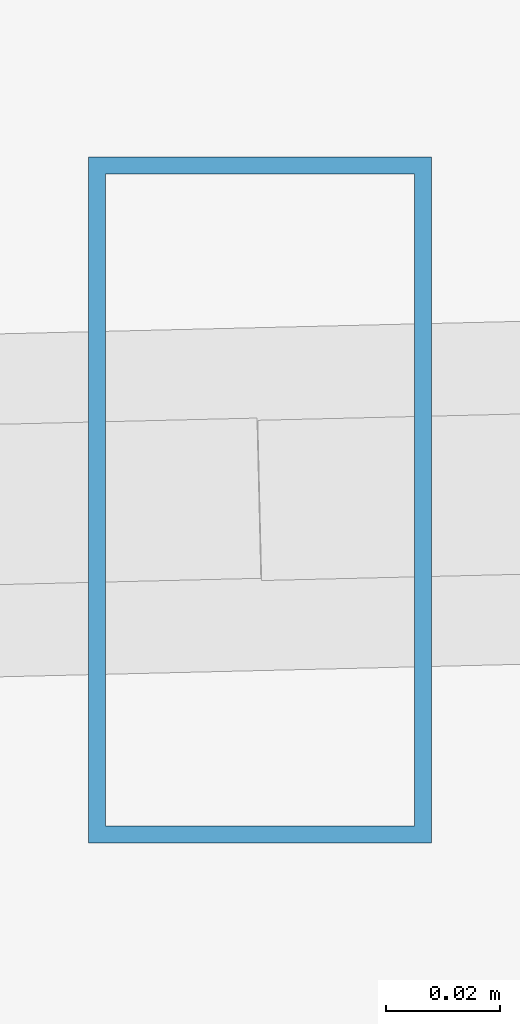
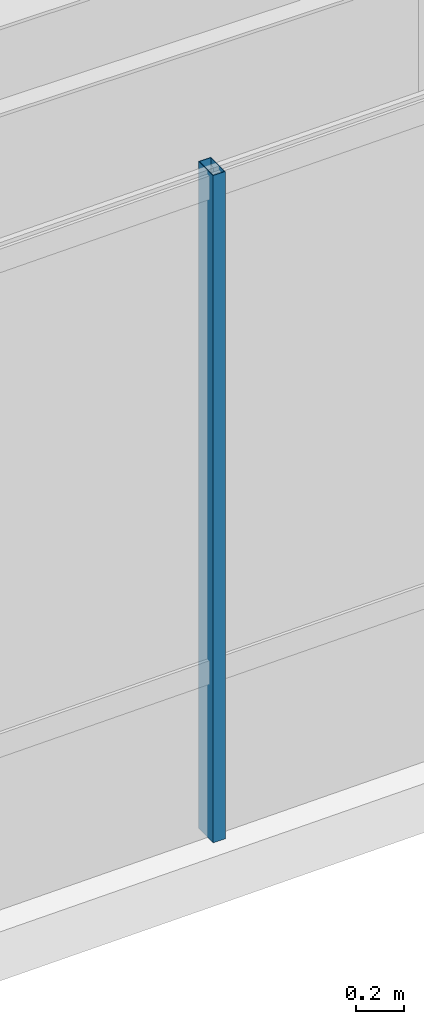
# One storey, part 5 of 48: 1 member, 1 element without a shape of its own.
"""IFC4 building model written with IfcOpenShell, lengths in metres."""

import ifcopenshell
import ifcopenshell.guid

model = None  # the IFC model being written
_history = None  # IfcOwnerHistory: only IFC2X3 demands one
_inside = {}  # id of a spatial element -> (the spatial element, [elements in it])
_under = {}  # id of a project, library or spatial element -> (it, [spatial elements below it])
_declared = {}  # id of a project -> (the project, [libraries it declares])
_typed = {}  # id of a type object -> (the type object, [elements of that type])
_made_of = {}  # id of a material, layer set ... -> (it, [elements and type objects made of it])


def new_model(schema):
    """Start an empty IFC model of exactly this schema.

    Asked for "IFC4X3", IfcOpenShell would pick the latest addendum, in which some entities
    have other attributes; the version numbers below select the first issue.
    IFC2X3 requires an IfcOwnerHistory on every rooted entity: one is made here for all.
    """
    global model, _history
    if schema == "IFC4X3":
        model = ifcopenshell.file(schema_version=(4, 3, 0, 0))
    else:
        model = ifcopenshell.file(schema=schema)
    _inside.clear()
    _under.clear()
    _declared.clear()
    _typed.clear()
    _made_of.clear()
    _history = None
    if model.schema == "IFC2X3":
        org = make("IfcOrganization", Name="unknown")
        user = make(
            "IfcPersonAndOrganization",
            ThePerson=make("IfcPerson", FamilyName="unknown"),
            TheOrganization=org,
        )
        app = make(
            "IfcApplication",
            ApplicationDeveloper=org,
            Version="unknown",
            ApplicationFullName="unknown",
            ApplicationIdentifier="unknown",
        )
        _history = make(
            "IfcOwnerHistory",
            OwningUser=user,
            OwningApplication=app,
            ChangeAction="ADDED",
            CreationDate=0,
        )
    return model


def make(cls, **values):
    """One entity of the class cls with the attributes given. An attribute that is None is left unset."""
    return model.create_entity(
        cls, **{name: value for name, value in values.items() if value is not None}
    )


def rooted(cls, **values):
    """An entity with a GlobalId (a new one), such as an element, a storey or a relation."""
    return make(cls, GlobalId=ifcopenshell.guid.new(), OwnerHistory=_history, **values)


def si_unit(unit_type, name, prefix=None):
    """IfcSIUnit, for example si_unit("LENGTHUNIT", "METRE", prefix="MILLI")."""
    return make("IfcSIUnit", UnitType=unit_type, Prefix=prefix, Name=name)


def assignment(units):
    """IfcUnitAssignment: the units of a project."""
    return None if units is None else make("IfcUnitAssignment", Units=units)


def point(xyz):
    """IfcCartesianPoint."""
    return None if xyz is None else make("IfcCartesianPoint", Coordinates=xyz)


def direction(xyz):
    """IfcDirection."""
    return None if xyz is None else make("IfcDirection", DirectionRatios=xyz)


def frame(location, z_axis=None, x_axis=None):
    """IfcAxis2Placement3D, a coordinate frame: its origin and axes. An axis left out is left unset."""
    return make(
        "IfcAxis2Placement3D",
        Location=point(location),
        Axis=direction(z_axis),
        RefDirection=direction(x_axis),
    )


def frame_2d(location, x_axis=None):
    """IfcAxis2Placement2D, a coordinate frame in the plane: its origin and x axis."""
    return make(
        "IfcAxis2Placement2D", Location=point(location), RefDirection=direction(x_axis)
    )


def origin():
    """The frame at (0, 0, 0) with its axes left unset."""
    return frame((0.0, 0.0, 0.0))


def origin_2d():
    """The frame at (0, 0) in the plane with its x axis left unset."""
    return frame_2d((0.0, 0.0))


def place(relative_to, where):
    """IfcLocalPlacement: puts the frame where relative to a parent placement (None: the world)."""
    return make(
        "IfcLocalPlacement", PlacementRelTo=relative_to, RelativePlacement=where
    )


def context(
    kind, dimensions, precision=None, world=None, true_north=None, identifier=None
):
    """IfcGeometricRepresentationContext, for example the 3D "Model" context."""
    return make(
        "IfcGeometricRepresentationContext",
        ContextIdentifier=identifier,
        ContextType=kind,
        CoordinateSpaceDimension=dimensions,
        Precision=precision,
        WorldCoordinateSystem=world,
        TrueNorth=true_north,
    )


def subcontext(parent, identifier, kind, view, scale=None):
    """IfcGeometricRepresentationSubContext, for example "Body" below "Model"."""
    return make(
        "IfcGeometricRepresentationSubContext",
        ContextIdentifier=identifier,
        ContextType=kind,
        ParentContext=parent,
        TargetScale=scale,
        TargetView=view,
    )


def project(units=None, contexts=None):
    """IfcProject with its units and contexts."""
    return rooted(
        "IfcProject",
        Name="project",
        RepresentationContexts=contexts,
        UnitsInContext=assignment(units),
    )


def spatial(cls, under=None, at=None, **own):
    """A site, building, storey or space (cls), placed at a placement, below another one or the project."""
    s = rooted(cls, ObjectPlacement=at, **own)
    if under is not None:
        _under.setdefault(under.id(), (under, []))[1].append(s)
    return s


def profile(cls, at=None, kind="AREA", **sizes):
    """A parametric profile (cls). Its sizes go by their IFC names, for example OverallWidth=200.0."""
    return make(cls, ProfileType=kind, Position=at, **sizes)


def hollow_rectangle(**sizes):
    """IfcRectangleHollowProfileDef."""
    return profile("IfcRectangleHollowProfileDef", **sizes)


def extrude(swept, where, along, depth):
    """IfcExtrudedAreaSolid: the profile swept, set in the frame where, extruded along a direction by depth."""
    return make(
        "IfcExtrudedAreaSolid",
        SweptArea=swept,
        Position=where,
        ExtrudedDirection=direction(along),
        Depth=depth,
    )


def shape(context_of_items, identifier, shape_type, items):
    """IfcShapeRepresentation: the items that make up one representation, for example the "Body"."""
    return make(
        "IfcShapeRepresentation",
        ContextOfItems=context_of_items,
        RepresentationIdentifier=identifier,
        RepresentationType=shape_type,
        Items=items,
    )


def source(mapping_origin, context_of_items, identifier, shape_type, items):
    """IfcRepresentationMap: a shape defined once, which mapped items show again and again."""
    return make(
        "IfcRepresentationMap",
        MappingOrigin=mapping_origin,
        MappedRepresentation=shape(context_of_items, identifier, shape_type, items),
    )


def transform(
    local_origin,
    x_axis=None,
    y_axis=None,
    z_axis=None,
    scale=None,
    scale2=None,
    scale3=None,
    uniform=True,
):
    """IfcCartesianTransformationOperator3D, or its non-uniform kind. x_axis, y_axis, z_axis: its Axis1, 2, 3."""
    if uniform:
        return make(
            "IfcCartesianTransformationOperator3D",
            Axis1=direction(x_axis),
            Axis2=direction(y_axis),
            LocalOrigin=point(local_origin),
            Scale=scale,
            Axis3=direction(z_axis),
        )
    return make(
        "IfcCartesianTransformationOperator3DnonUniform",
        Axis1=direction(x_axis),
        Axis2=direction(y_axis),
        LocalOrigin=point(local_origin),
        Scale=scale,
        Axis3=direction(z_axis),
        Scale2=scale2,
        Scale3=scale3,
    )


def mapped(mapping_source, mapping_target):
    """IfcMappedItem: shows the shape of a source again, moved by a transform."""
    return make(
        "IfcMappedItem", MappingSource=mapping_source, MappingTarget=mapping_target
    )


def material(Name=None, Category=None):
    """IfcMaterial."""
    return make("IfcMaterial", Name=Name, Category=Category)


def material_profile(
    of_material, cross_section, Name=None, Category=None, Priority=None
):
    """IfcMaterialProfile: a cross section and its material."""
    return make(
        "IfcMaterialProfile",
        Name=Name,
        Material=of_material,
        Profile=cross_section,
        Priority=Priority,
        Category=Category,
    )


def profile_set(profiles, Name=None, composite=None):
    """IfcMaterialProfileSet."""
    return make(
        "IfcMaterialProfileSet",
        Name=Name,
        MaterialProfiles=profiles,
        CompositeProfile=composite,
    )


def made_of(thing, what):
    """Note that an element or type object is made of a material, layer set ...; save() writes the relation."""
    if what is not None:
        _made_of.setdefault(what.id(), (what, []))[1].append(thing)
    return thing


def type_object(cls, material=None, **own):
    """A type object (cls), such as IfcWallType, which elements share."""
    return made_of(rooted(cls, **own), material)


def type_shapes(of_type, sources):
    """Give a type object the sources (RepresentationMaps) that its elements show as mapped items."""
    of_type.RepresentationMaps = sources


def element(
    cls,
    number,
    at=None,
    inside=None,
    cuts=None,
    type_object=None,
    material=None,
    context=None,
    identifier="Body",
    shape_type=None,
    held_by="IfcProductDefinitionShape",
    body=None,
    shapes=None,
    **own,
):
    """One element of the class cls, such as IfcWall. Its Tag is "e" and its number.

    at: its placement. inside: the storey or other place that contains it. cuts: it is an
    opening in that element (IfcRelVoidsElement). A single representation is given by context,
    identifier, shape_type and body (its items); several are given by shapes. held_by: the class
    of the entity that holds the representations. save() writes the other relations.
    """
    e = rooted(cls, Tag="e%d" % number, ObjectPlacement=at, **own)
    if body is not None:
        shapes = [shape(context, identifier, shape_type, body)]
    if shapes is not None:
        e.Representation = make(held_by, Representations=shapes)
    if inside is not None:
        _inside.setdefault(inside.id(), (inside, []))[1].append(e)
    if cuts is not None:
        rooted(
            "IfcRelVoidsElement", RelatingBuildingElement=cuts, RelatedOpeningElement=e
        )
    if type_object is not None:
        _typed.setdefault(type_object.id(), (type_object, []))[1].append(e)
    return made_of(e, material)


def aggregate(whole, parts):
    """IfcRelAggregates: a whole, such as a stair, and the parts it consists of."""
    return rooted("IfcRelAggregates", RelatingObject=whole, RelatedObjects=parts)


def save(model, path):
    """Write the relations noted so far, then the file.

    IfcRelAggregates (storeys below a building ...), IfcRelContainedInSpatialStructure (elements
    in a storey), IfcRelDefinesByType, IfcRelAssociatesMaterial and IfcRelDeclares: one each for
    every whole, place, type object, material and project.
    """
    for whole, parts in _under.values():
        aggregate(whole, parts)
    for where, things in _inside.values():
        rooted(
            "IfcRelContainedInSpatialStructure",
            RelatedElements=things,
            RelatingStructure=where,
        )
    for kind, things in _typed.values():
        rooted("IfcRelDefinesByType", RelatedObjects=things, RelatingType=kind)
    for what, things in _made_of.values():
        rooted("IfcRelAssociatesMaterial", RelatedObjects=things, RelatingMaterial=what)
    for by, libraries in _declared.values():
        rooted("IfcRelDeclares", RelatingContext=by, RelatedDefinitions=libraries)
    model.write(path)


model = new_model("IFC4")

# Units and contexts
model_context = context("Model", 3, precision=1e-05, world=origin(), true_north=direction((0.0, 1.0)))
body_context = subcontext(model_context, "Body", "Model", "MODEL_VIEW")
ifc_project = project(units=[si_unit("LENGTHUNIT", "METRE"), si_unit("AREAUNIT", "SQUARE_METRE"), si_unit("VOLUMEUNIT", "CUBIC_METRE"), si_unit("PLANEANGLEUNIT", "RADIAN"), si_unit("MASSUNIT", "GRAM", prefix="KILO")], contexts=[model_context])

# Site, building, storey
site_placement = place(None, origin())
site = spatial("IfcSite", under=ifc_project, at=site_placement, CompositionType="ELEMENT")
building_placement = place(site_placement, origin())
building = spatial("IfcBuilding", under=site, at=building_placement, Name="Caelisora Broadcast Tower", CompositionType="ELEMENT")
storey_placement = place(building_placement, frame((0.0, 0.0, 270.0)))
storey = spatial("IfcBuildingStorey", under=building, at=storey_placement, Name="L71", CompositionType="ELEMENT", Elevation=270.0)

# Curtain wall, member
ifc_material_1 = material(Name="Unitised Aluminium and Low-E Glass Curtain Wall", Category="glass")
curtain_wall_type = type_object("IfcCurtainWallType", Name="CW-Z5", PredefinedType="NOTDEFINED", material=ifc_material_1)
curtain_wall_placement = place(storey_placement, origin())
curtain_wall = element("IfcCurtainWall", 1, at=curtain_wall_placement, inside=storey, type_object=curtain_wall_type, Name="L71 curtain wall CW-Z5", PredefinedType="NOTDEFINED")
ifc_material_2 = material(Name="Aluminium 6063-T6 Anodised Terracotta Bronze", Category="aluminium")
ifc_material_profile = material_profile(ifc_material_2, hollow_rectangle(XDim=0.06005859375, YDim=0.1201171875, WallThickness=0.0029296875, at=origin_2d()), Name="Aluminium 6063-T6 Anodised Terracotta Bronze")
ifc_profile_set = profile_set([ifc_material_profile], Name="Aluminium 6063-T6 Anodised Terracotta Bronze")
member_type = type_object("IfcMemberType", Name="CWM-04", PredefinedType="MULLION", material=ifc_profile_set)
shared_shape = source(origin(), body_context, "Body", "SweptSolid", [
    extrude(hollow_rectangle(XDim=0.06005859375, YDim=0.1201171875, WallThickness=0.0029296875, at=origin_2d()), origin(), (0.0, 0.0, 1.0), 3.39990234375),
])
type_shapes(member_type, [shared_shape])
member_placement = place(storey_placement, frame((25.843505859375, 8.256103515625, 0.0), z_axis=(0.0, 0.0, 1.0), x_axis=(1.0, 0.0, 0.0)))
member = element("IfcMember", 2, at=member_placement, type_object=member_type, Name="L71-CW-B07 mullion #1", PredefinedType="MULLION", context=body_context, shape_type="MappedRepresentation", body=[
    mapped(shared_shape, transform((0.0, 0.0, 0.0), scale=1.0)),
])
aggregate(curtain_wall, [member])

save(model, "model.ifc")
